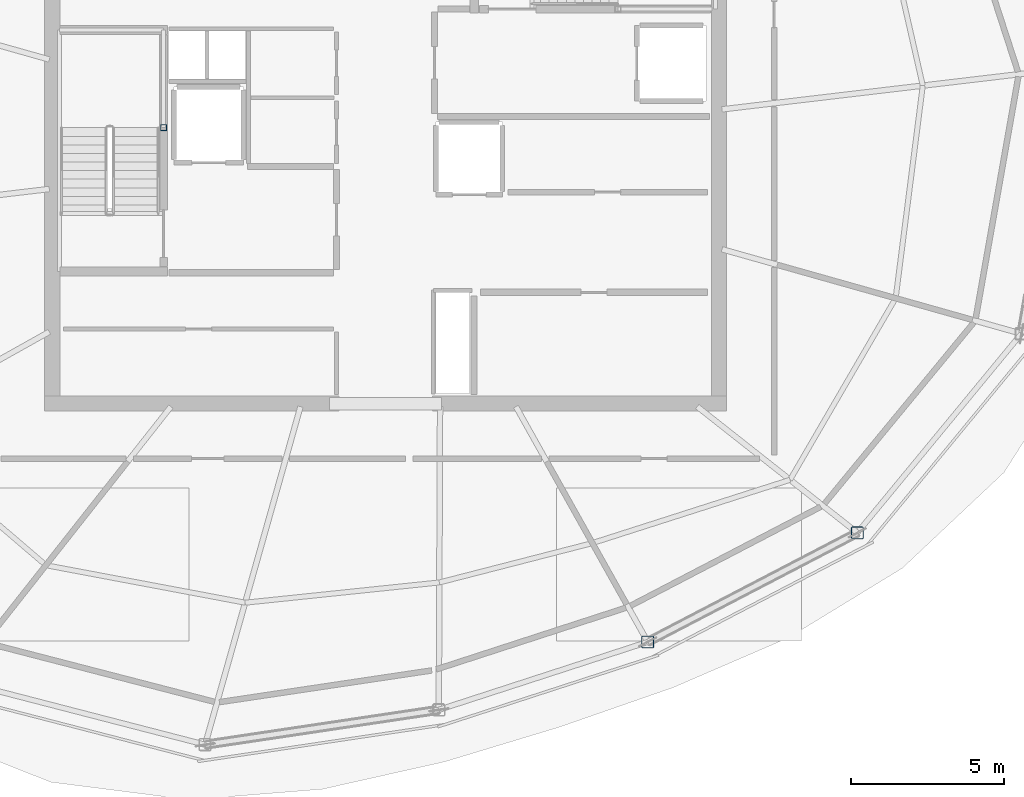
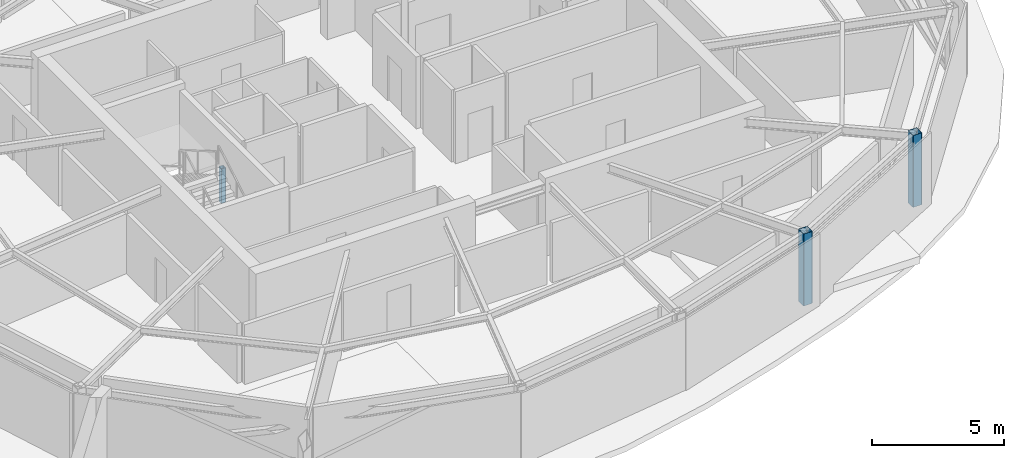
# One storey, part 2 of 10: 3 columns.
"""IFC4 building model written with IfcOpenShell, lengths in metres."""

from ifc_helpers import new_model, si_unit, direction, frame, origin, origin_2d, place, context, subcontext, project, spatial, hollow_rectangle, extrude, material, material_profile, profile_set, type_object, element, save


model = new_model("IFC4")

# Units and contexts
model_context = context("Model", 3, precision=1e-05, world=origin(), true_north=direction((0.0, 1.0)))
body_context = subcontext(model_context, "Body", "Model", "MODEL_VIEW")
ifc_project = project(units=[si_unit("LENGTHUNIT", "METRE"), si_unit("AREAUNIT", "SQUARE_METRE"), si_unit("VOLUMEUNIT", "CUBIC_METRE"), si_unit("PLANEANGLEUNIT", "RADIAN"), si_unit("MASSUNIT", "GRAM", prefix="KILO")], contexts=[model_context])

# Site, building, storey
site_placement = place(None, origin())
site = spatial("IfcSite", under=ifc_project, at=site_placement, CompositionType="ELEMENT")
building_placement = place(site_placement, origin())
building = spatial("IfcBuilding", under=site, at=building_placement, Name="Kazma Halo Residences", CompositionType="ELEMENT")
storey_placement = place(building_placement, frame((0.0, 0.0, 366.800048828125)))
storey = spatial("IfcBuildingStorey", under=building, at=storey_placement, Name="L92", CompositionType="ELEMENT", Elevation=366.800048828125)

# Columns
ifc_material = material(Name="Steel S355", Category="steel")
ifc_material_profile_1 = material_profile(ifc_material, hollow_rectangle(XDim=0.39990234375, YDim=0.39990234375, WallThickness=0.02001953125, InnerFilletRadius=0.02001953125, OuterFilletRadius=0.0400390625, at=origin_2d()), Name="SHS400x400x20")
ifc_profile_set_1 = profile_set([ifc_material_profile_1], Name="Steel S355")
column_type_1 = type_object("IfcColumnType", Name="COL-CROWN-SHS400", PredefinedType="COLUMN", material=ifc_profile_set_1)
for number, where, z_axis, x_axis, name in (
    (1, (56.9765625, 25.97119140625, 0.0), (0.0, 0.0, 1.0), (1.0, 0.0, 0.0), "L92 CROWN FRAME perimeter column P13"),
    (2, (63.815185546875, 29.532470703125, 0.0), (0.0, 0.0, 1.0), (1.0, 0.0, 0.0), "L92 CROWN FRAME perimeter column P14"),
):
    element("IfcColumn", number, at=place(storey_placement, frame(where, z_axis=z_axis, x_axis=x_axis)), inside=storey, type_object=column_type_1, Name=name, PredefinedType="COLUMN", context=body_context, shape_type="SweptSolid", body=[
        extrude(hollow_rectangle(XDim=0.39990234375, YDim=0.39990234375, WallThickness=0.02001953125, InnerFilletRadius=0.02001953125, OuterFilletRadius=0.0400390625, at=origin_2d()), origin(), (0.0, 0.0, 1.0), 3.320068359375),
    ])
ifc_material_profile_2 = material_profile(ifc_material, hollow_rectangle(XDim=0.199951171875, YDim=0.199951171875, WallThickness=0.010009765625, InnerFilletRadius=0.010009765625, OuterFilletRadius=0.02001953125, at=origin_2d()), Name="SHS200x200x10")
ifc_profile_set_2 = profile_set([ifc_material_profile_2], Name="Steel S355")
column_type_2 = type_object("IfcColumnType", Name="COL-LP-SHS200", PredefinedType="COLUMN", material=ifc_profile_set_2)
column_placement = place(storey_placement, frame((41.179931640625, 42.75, 0.0), z_axis=(0.0, 0.0, 1.0), x_axis=(1.0, 0.0, 0.0)))
element("IfcColumn", 3, at=column_placement, inside=storey, type_object=column_type_2, Name="L92 ST-01 landing pilaster 1", PredefinedType="COLUMN", context=body_context, shape_type="SweptSolid", body=[
    extrude(hollow_rectangle(XDim=0.199951171875, YDim=0.199951171875, WallThickness=0.010009765625, InnerFilletRadius=0.010009765625, OuterFilletRadius=0.02001953125, at=origin_2d()), origin(), (0.0, 0.0, 1.0), 1.594970703125),
])

save(model, "model.ifc")
